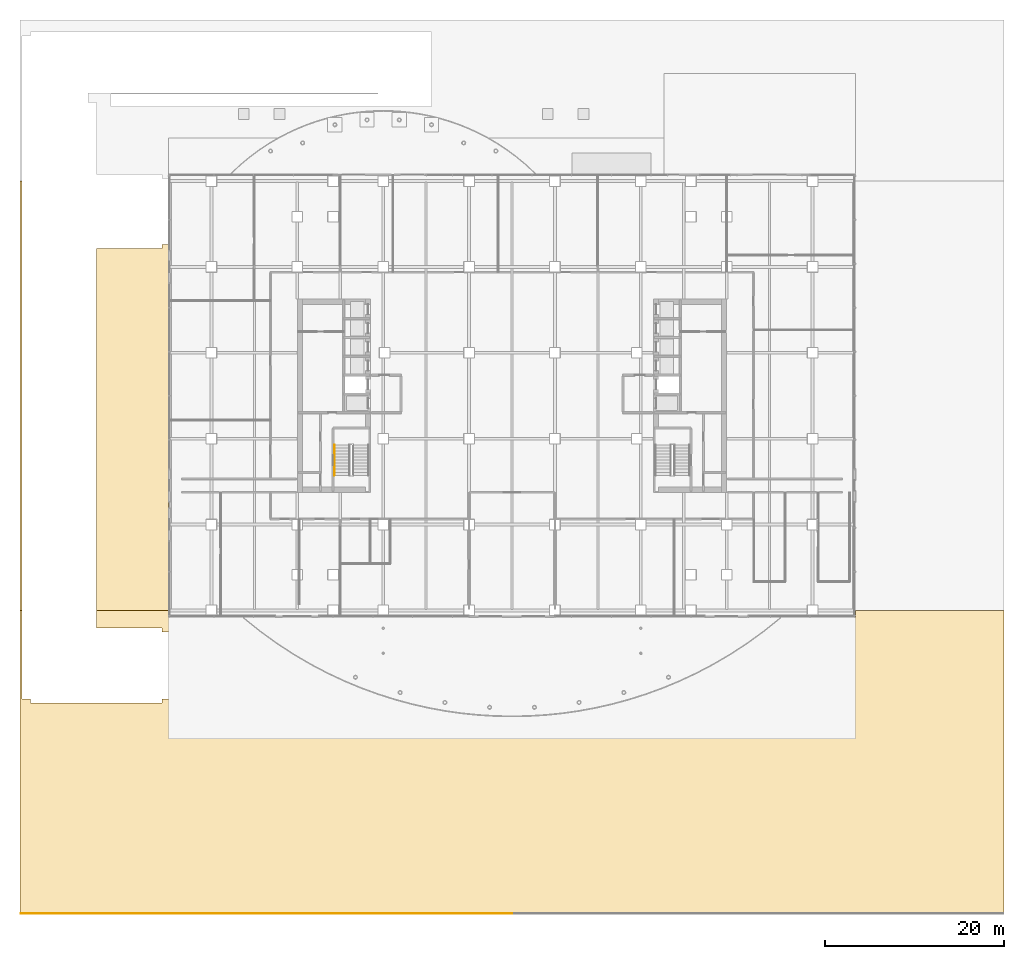
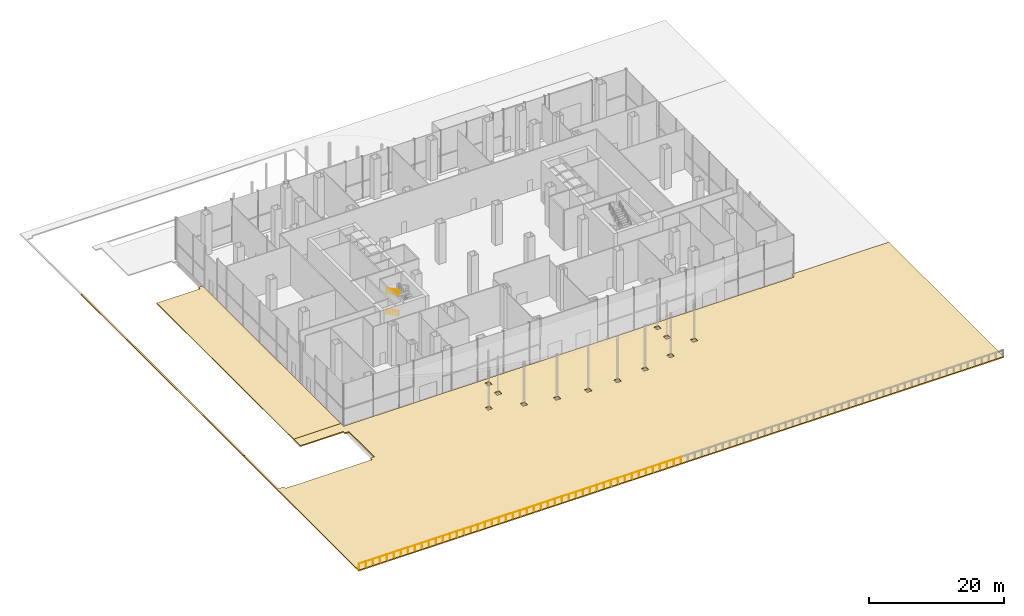
# One storey, part 31 of 36: 4 railings, 3 coverings.
"""IFC4 building model written with IfcOpenShell, lengths in metres."""

from ifc_helpers import new_model, si_unit, direction, frame, origin, origin_2d, place, context, subcontext, project, spatial, polyline, circle, outline, extrude, material, layer, layer_set, type_object, element, save


model = new_model("IFC4")

# Units and contexts
model_context = context("Model", 3, precision=1e-05, world=origin(), true_north=direction((0.0, 1.0)))
body_context = subcontext(model_context, "Body", "Model", "MODEL_VIEW")
ifc_project = project(units=[si_unit("LENGTHUNIT", "METRE"), si_unit("AREAUNIT", "SQUARE_METRE"), si_unit("VOLUMEUNIT", "CUBIC_METRE"), si_unit("PLANEANGLEUNIT", "RADIAN"), si_unit("MASSUNIT", "GRAM", prefix="KILO")], contexts=[model_context])

# Site, building, storey
site_placement = place(None, origin())
site = spatial("IfcSite", under=ifc_project, at=site_placement, CompositionType="ELEMENT")
building_placement = place(site_placement, origin())
building = spatial("IfcBuilding", under=site, at=building_placement, Name="Cobrizo Arcos Hotel Tower", CompositionType="ELEMENT")
storey_placement = place(building_placement, origin())
storey = spatial("IfcBuildingStorey", under=building, at=storey_placement, Name="L00", CompositionType="ELEMENT", Elevation=0.0)

# Coverings
ifc_material_1 = material(Name="Granite paving on sand bed", Category="masonry")
ifc_layer_1 = layer(ifc_material_1, 0.199951171875)
ifc_layer_set_1 = layer_set([ifc_layer_1], Name="PG-2 granite promenade paving 200")
covering_type_1 = type_object("IfcCoveringType", Name="PG-2 granite promenade paving 200", PredefinedType="FLOORING", material=ifc_layer_set_1)
covering_1_placement = place(storey_placement, frame((0.0, 0.0, -0.199951171875)))
element("IfcCovering", 1, at=covering_1_placement, inside=storey, type_object=covering_type_1, Name="Paving PR", PredefinedType="FLOORING", context=body_context, shape_type="SweptSolid", body=[
    extrude(outline(polyline([(55.0, -58.0), (-55.0, -58.0), (-55.0, -24.0), (-54.75, -24.0), (-54.75, -33.89990234375), (-54.300048828125, -33.89990234375), (-53.800048828125, -33.89990234375), (-53.800048828125, -34.35009765625), (-39.10009765625, -34.35009765625), (-39.10009765625, -33.89990234375), (-38.39990234375, -33.89990234375), (-38.39990234375, -33.39990234375), (-38.39990234375, -26.89990234375), (-38.39990234375, -26.39990234375), (-39.10009765625, -26.39990234375), (-39.10009765625, -25.949951171875), (-46.449951171875, -25.949951171875), (-46.449951171875, -24.0), (-38.39990234375, -24.0), (-38.39990234375, -24.800048828125), (38.39990234375, -24.800048828125), (38.39990234375, -24.0), (55.0, -24.0), (55.0, -58.0)]), holes=[polyline([(-12.89990234375, -33.5849609375), (-12.10009765625, -33.5849609375), (-12.10009765625, -32.784912109375), (-12.89990234375, -32.784912109375), (-12.89990234375, -33.5849609375)]), polyline([(-17.89990234375, -31.8740234375), (-17.10009765625, -31.8740234375), (-17.10009765625, -31.07421875), (-17.89990234375, -31.07421875), (-17.89990234375, -31.8740234375)]), polyline([(-14.800048828125, -29.199951171875), (-14.0, -29.199951171875), (-14.0, -28.39990234375), (-14.800048828125, -28.39990234375), (-14.800048828125, -29.199951171875)]), polyline([(-14.800048828125, -25.60009765625), (-14.800048828125, -26.39990234375), (-14.0, -26.39990234375), (-14.0, -25.60009765625), (-14.800048828125, -25.60009765625)]), polyline([(-2.89990234375, -35.232666015625), (-2.10009765625, -35.232666015625), (-2.10009765625, -34.4326171875), (-2.89990234375, -34.4326171875), (-2.89990234375, -35.232666015625)]), polyline([(2.10009765625, -35.232666015625), (2.89990234375, -35.232666015625), (2.89990234375, -34.4326171875), (2.10009765625, -34.4326171875), (2.10009765625, -35.232666015625)]), polyline([(-7.89990234375, -34.68994140625), (-7.10009765625, -34.68994140625), (-7.10009765625, -33.889892578125), (-7.89990234375, -33.889892578125), (-7.89990234375, -34.68994140625)]), polyline([(7.10009765625, -33.889892578125), (7.10009765625, -34.68994140625), (7.89990234375, -34.68994140625), (7.89990234375, -33.889892578125), (7.10009765625, -33.889892578125)]), polyline([(12.10009765625, -32.784912109375), (12.10009765625, -33.5849609375), (12.89990234375, -33.5849609375), (12.89990234375, -32.784912109375), (12.10009765625, -32.784912109375)]), polyline([(17.10009765625, -31.8740234375), (17.89990234375, -31.8740234375), (17.89990234375, -31.07421875), (17.10009765625, -31.07421875), (17.10009765625, -31.8740234375)]), polyline([(14.0, -29.199951171875), (14.800048828125, -29.199951171875), (14.800048828125, -28.39990234375), (14.0, -28.39990234375), (14.0, -29.199951171875)]), polyline([(14.0, -26.39990234375), (14.800048828125, -26.39990234375), (14.800048828125, -25.60009765625), (14.0, -25.60009765625), (14.0, -26.39990234375)])]), origin(), (0.0, 0.0, 1.0), 0.199951171875),
])
ifc_material_2 = material(Name="Concrete f'c 30 MPa", Category="concrete")
ifc_layer_2 = layer(ifc_material_2, 0.14990234375)
ifc_layer_set_2 = layer_set([ifc_layer_2], Name="PG-3 service lane paving 150")
covering_type_2 = type_object("IfcCoveringType", Name="PG-3 service lane paving 150", PredefinedType="FLOORING", material=ifc_layer_set_2)
covering_2_placement = place(storey_placement, frame((0.0, 0.0, -0.14990234375)))
element("IfcCovering", 2, at=covering_2_placement, inside=storey, type_object=covering_type_2, Name="Paving PL", PredefinedType="FLOORING", context=body_context, shape_type="SweptSolid", body=[
    extrude(outline(polyline([(-46.449951171875, -24.0), (-46.449951171875, -15.0), (-46.449951171875, -12.054443359375), (-46.449951171875, -9.109130859375), (-46.449951171875, -6.16357421875), (-46.449951171875, -3.21826171875), (-46.449951171875, -0.272705078125), (-46.449951171875, 2.672607421875), (-46.449951171875, 5.6181640625), (-46.449951171875, 8.563720703125), (-46.449951171875, 11.509033203125), (-46.449951171875, 14.45458984375), (-46.449951171875, 16.449951171875), (-39.10009765625, 16.449951171875), (-39.10009765625, 16.89990234375), (-38.39990234375, 16.89990234375), (-38.39990234375, -24.0), (-46.449951171875, -24.0)])), origin(), (0.0, 0.0, 1.0), 0.14990234375),
])
covering_3_placement = place(storey_placement, frame((0.0, 0.0, -0.14990234375)))
element("IfcCovering", 3, at=covering_3_placement, inside=storey, type_object=covering_type_2, Name="Paving PL", PredefinedType="FLOORING", context=body_context, shape_type="SweptSolid", body=[
    extrude(outline(polyline([(-55.0, -24.0), (-55.0, 24.0), (-54.75, 24.0), (-54.75, 17.39990234375), (-54.75, 14.45458984375), (-54.75, 11.509033203125), (-54.75, 8.563720703125), (-54.75, 5.6181640625), (-54.75, 2.672607421875), (-54.75, -0.272705078125), (-54.75, -3.21826171875), (-54.75, -6.16357421875), (-54.75, -9.109130859375), (-54.75, -12.054443359375), (-54.75, -15.0), (-54.75, -24.0), (-55.0, -24.0)])), origin(), (0.0, 0.0, 1.0), 0.14990234375),
])

# Railings
ifc_material_3 = material(Name="Stainless steel railing", Category="steel")
railing_type_1 = type_object("IfcRailingType", Name="Quay edge guard 1100", PredefinedType="GUARDRAIL", material=ifc_material_3)
railing_1_placement = place(storey_placement, frame((-54.89990234375, -57.89990234375, 0.0)))
element("IfcRailing", 4, at=railing_1_placement, inside=storey, type_object=railing_type_1, Name="Quay edge guard 1", PredefinedType="GUARDRAIL", context=body_context, shape_type="SweptSolid", body=[
    extrude(circle(Radius=0.02392578125, at=origin_2d()), frame((0.0, 0.0, 1.076171875), z_axis=(1.0, 0.0, 0.0), x_axis=(0.0, 1.0, 0.0)), (0.0, 0.0, 1.0), 27.449951171875),
    extrude(circle(Radius=0.02099609375, at=origin_2d()), origin(), (0.0, 0.0, 1.0), 1.052001953125),
    extrude(circle(Radius=0.02099609375, at=origin_2d()), frame((1.193359375, 0.0, 0.0)), (0.0, 0.0, 1.0), 1.052001953125),
    extrude(circle(Radius=0.02099609375, at=origin_2d()), frame((2.386962890625, 0.0, 0.0)), (0.0, 0.0, 1.0), 1.052001953125),
    extrude(circle(Radius=0.02099609375, at=origin_2d()), frame((3.580322265625, 0.0, 0.0)), (0.0, 0.0, 1.0), 1.052001953125),
    extrude(circle(Radius=0.02099609375, at=origin_2d()), frame((4.77392578125, 0.0, 0.0)), (0.0, 0.0, 1.0), 1.052001953125),
    extrude(circle(Radius=0.02099609375, at=origin_2d()), frame((5.96728515625, 0.0, 0.0)), (0.0, 0.0, 1.0), 1.052001953125),
    extrude(circle(Radius=0.02099609375, at=origin_2d()), frame((7.160888671875, 0.0, 0.0)), (0.0, 0.0, 1.0), 1.052001953125),
    extrude(circle(Radius=0.02099609375, at=origin_2d()), frame((8.354248046875, 0.0, 0.0)), (0.0, 0.0, 1.0), 1.052001953125),
    extrude(circle(Radius=0.02099609375, at=origin_2d()), frame((9.5478515625, 0.0, 0.0)), (0.0, 0.0, 1.0), 1.052001953125),
    extrude(circle(Radius=0.02099609375, at=origin_2d()), frame((10.7412109375, 0.0, 0.0)), (0.0, 0.0, 1.0), 1.052001953125),
    extrude(circle(Radius=0.02099609375, at=origin_2d()), frame((11.934814453125, 0.0, 0.0)), (0.0, 0.0, 1.0), 1.052001953125),
    extrude(circle(Radius=0.02099609375, at=origin_2d()), frame((13.128173828125, 0.0, 0.0)), (0.0, 0.0, 1.0), 1.052001953125),
    extrude(circle(Radius=0.02099609375, at=origin_2d()), frame((14.32177734375, 0.0, 0.0)), (0.0, 0.0, 1.0), 1.052001953125),
    extrude(circle(Radius=0.02099609375, at=origin_2d()), frame((15.51513671875, 0.0, 0.0)), (0.0, 0.0, 1.0), 1.052001953125),
    extrude(circle(Radius=0.02099609375, at=origin_2d()), frame((16.708740234375, 0.0, 0.0)), (0.0, 0.0, 1.0), 1.052001953125),
    extrude(circle(Radius=0.02099609375, at=origin_2d()), frame((17.902099609375, 0.0, 0.0)), (0.0, 0.0, 1.0), 1.052001953125),
    extrude(circle(Radius=0.02099609375, at=origin_2d()), frame((19.095703125, 0.0, 0.0)), (0.0, 0.0, 1.0), 1.052001953125),
    extrude(circle(Radius=0.02099609375, at=origin_2d()), frame((20.2890625, 0.0, 0.0)), (0.0, 0.0, 1.0), 1.052001953125),
    extrude(circle(Radius=0.02099609375, at=origin_2d()), frame((21.482666015625, 0.0, 0.0)), (0.0, 0.0, 1.0), 1.052001953125),
    extrude(circle(Radius=0.02099609375, at=origin_2d()), frame((22.676025390625, 0.0, 0.0)), (0.0, 0.0, 1.0), 1.052001953125),
    extrude(circle(Radius=0.02099609375, at=origin_2d()), frame((23.86962890625, 0.0, 0.0)), (0.0, 0.0, 1.0), 1.052001953125),
    extrude(circle(Radius=0.02099609375, at=origin_2d()), frame((25.06298828125, 0.0, 0.0)), (0.0, 0.0, 1.0), 1.052001953125),
    extrude(circle(Radius=0.02099609375, at=origin_2d()), frame((26.256591796875, 0.0, 0.0)), (0.0, 0.0, 1.0), 1.052001953125),
    extrude(circle(Radius=0.02099609375, at=origin_2d()), frame((27.449951171875, 0.0, 0.0)), (0.0, 0.0, 1.0), 1.052001953125),
])
railing_2_placement = place(storey_placement, frame((-27.449951171875, -57.89990234375, 0.0)))
element("IfcRailing", 5, at=railing_2_placement, inside=storey, type_object=railing_type_1, Name="Quay edge guard 2", PredefinedType="GUARDRAIL", context=body_context, shape_type="SweptSolid", body=[
    extrude(circle(Radius=0.02392578125, at=origin_2d()), frame((0.0, 0.0, 1.076171875), z_axis=(1.0, 0.0, 0.0), x_axis=(0.0, 1.0, 0.0)), (0.0, 0.0, 1.0), 27.449951171875),
    extrude(circle(Radius=0.02099609375, at=origin_2d()), origin(), (0.0, 0.0, 1.0), 1.052001953125),
    extrude(circle(Radius=0.02099609375, at=origin_2d()), frame((1.193359375, 0.0, 0.0)), (0.0, 0.0, 1.0), 1.052001953125),
    extrude(circle(Radius=0.02099609375, at=origin_2d()), frame((2.386962890625, 0.0, 0.0)), (0.0, 0.0, 1.0), 1.052001953125),
    extrude(circle(Radius=0.02099609375, at=origin_2d()), frame((3.580322265625, 0.0, 0.0)), (0.0, 0.0, 1.0), 1.052001953125),
    extrude(circle(Radius=0.02099609375, at=origin_2d()), frame((4.77392578125, 0.0, 0.0)), (0.0, 0.0, 1.0), 1.052001953125),
    extrude(circle(Radius=0.02099609375, at=origin_2d()), frame((5.96728515625, 0.0, 0.0)), (0.0, 0.0, 1.0), 1.052001953125),
    extrude(circle(Radius=0.02099609375, at=origin_2d()), frame((7.160888671875, 0.0, 0.0)), (0.0, 0.0, 1.0), 1.052001953125),
    extrude(circle(Radius=0.02099609375, at=origin_2d()), frame((8.354248046875, 0.0, 0.0)), (0.0, 0.0, 1.0), 1.052001953125),
    extrude(circle(Radius=0.02099609375, at=origin_2d()), frame((9.5478515625, 0.0, 0.0)), (0.0, 0.0, 1.0), 1.052001953125),
    extrude(circle(Radius=0.02099609375, at=origin_2d()), frame((10.7412109375, 0.0, 0.0)), (0.0, 0.0, 1.0), 1.052001953125),
    extrude(circle(Radius=0.02099609375, at=origin_2d()), frame((11.934814453125, 0.0, 0.0)), (0.0, 0.0, 1.0), 1.052001953125),
    extrude(circle(Radius=0.02099609375, at=origin_2d()), frame((13.128173828125, 0.0, 0.0)), (0.0, 0.0, 1.0), 1.052001953125),
    extrude(circle(Radius=0.02099609375, at=origin_2d()), frame((14.32177734375, 0.0, 0.0)), (0.0, 0.0, 1.0), 1.052001953125),
    extrude(circle(Radius=0.02099609375, at=origin_2d()), frame((15.51513671875, 0.0, 0.0)), (0.0, 0.0, 1.0), 1.052001953125),
    extrude(circle(Radius=0.02099609375, at=origin_2d()), frame((16.708740234375, 0.0, 0.0)), (0.0, 0.0, 1.0), 1.052001953125),
    extrude(circle(Radius=0.02099609375, at=origin_2d()), frame((17.902099609375, 0.0, 0.0)), (0.0, 0.0, 1.0), 1.052001953125),
    extrude(circle(Radius=0.02099609375, at=origin_2d()), frame((19.095703125, 0.0, 0.0)), (0.0, 0.0, 1.0), 1.052001953125),
    extrude(circle(Radius=0.02099609375, at=origin_2d()), frame((20.2890625, 0.0, 0.0)), (0.0, 0.0, 1.0), 1.052001953125),
    extrude(circle(Radius=0.02099609375, at=origin_2d()), frame((21.482666015625, 0.0, 0.0)), (0.0, 0.0, 1.0), 1.052001953125),
    extrude(circle(Radius=0.02099609375, at=origin_2d()), frame((22.676025390625, 0.0, 0.0)), (0.0, 0.0, 1.0), 1.052001953125),
    extrude(circle(Radius=0.02099609375, at=origin_2d()), frame((23.86962890625, 0.0, 0.0)), (0.0, 0.0, 1.0), 1.052001953125),
    extrude(circle(Radius=0.02099609375, at=origin_2d()), frame((25.06298828125, 0.0, 0.0)), (0.0, 0.0, 1.0), 1.052001953125),
    extrude(circle(Radius=0.02099609375, at=origin_2d()), frame((26.256591796875, 0.0, 0.0)), (0.0, 0.0, 1.0), 1.052001953125),
    extrude(circle(Radius=0.02099609375, at=origin_2d()), frame((27.449951171875, 0.0, 0.0)), (0.0, 0.0, 1.0), 1.052001953125),
])
railing_type_2 = type_object("IfcRailingType", Name="Stair handrail", PredefinedType="HANDRAIL", material=ifc_material_3)
for number, where, name in (
    (6, (-19.85009765625, -5.5, 2.04541015625), "L00 ST-W stair handrail 2"),
    (7, (-19.85009765625, -5.5, 5.79541015625), "L00 ST-W stair handrail 4"),
):
    element("IfcRailing", number, at=place(storey_placement, frame(where)), inside=storey, type_object=railing_type_2, Name=name, PredefinedType="HANDRAIL", context=body_context, shape_type="SweptSolid", body=[
        extrude(circle(Radius=0.02392578125, at=origin_2d()), frame((0.0, 0.0, 0.8759765625), z_axis=(0.0, -0.89393879905, 0.448189048899), x_axis=(1.0, 0.0, 0.0)), (0.0, 0.0, 1.0), 3.80322265625),
        extrude(circle(Radius=0.02099609375, at=origin_2d()), origin(), (0.0, 0.0, 1.0), 0.851806640625),
        extrude(circle(Radius=0.02099609375, at=origin_2d()), frame((0.0, -0.85009765625, 0.42626953125)), (0.0, 0.0, 1.0), 0.851806640625),
        extrude(circle(Radius=0.02099609375, at=origin_2d()), frame((0.0, -1.699951171875, 0.852294921875)), (0.0, 0.0, 1.0), 0.851806640625),
        extrude(circle(Radius=0.02099609375, at=origin_2d()), frame((0.0, -2.5498046875, 1.2783203125)), (0.0, 0.0, 1.0), 0.851806640625),
        extrude(circle(Radius=0.02099609375, at=origin_2d()), frame((0.0, -3.39990234375, 1.70458984375)), (0.0, 0.0, 1.0), 0.851806640625),
    ])

save(model, "model.ifc")
